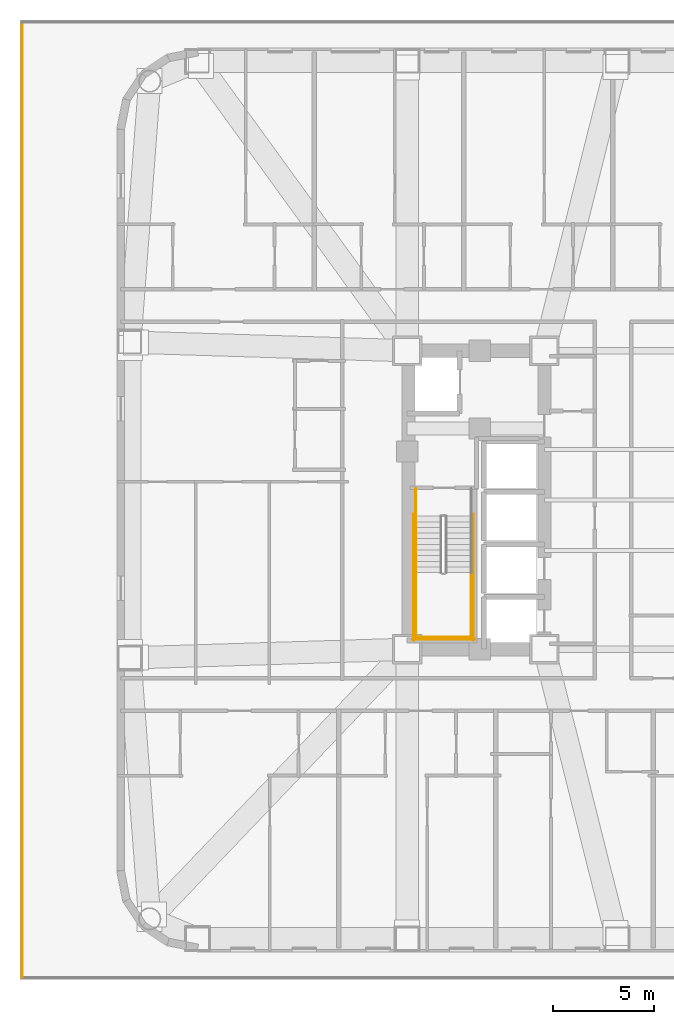
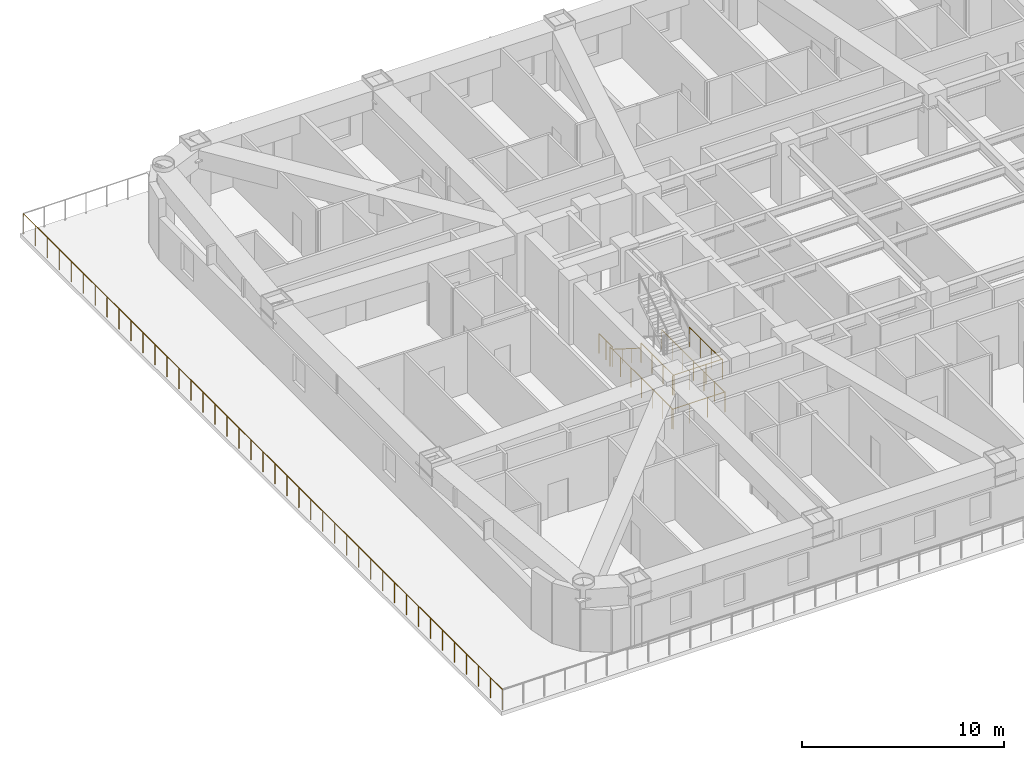
# One storey, part 11 of 15: 9 railings.
"""IFC4 building model written with IfcOpenShell, lengths in metres."""

from ifc_helpers import new_model, si_unit, direction, frame, origin, origin_2d, place, context, subcontext, project, spatial, circle, extrude, material, type_object, element, save


model = new_model("IFC4")

# Units and contexts
model_context = context("Model", 3, precision=1e-05, world=origin(), true_north=direction((0.0, 1.0)))
body_context = subcontext(model_context, "Body", "Model", "MODEL_VIEW")
ifc_project = project(units=[si_unit("LENGTHUNIT", "METRE"), si_unit("AREAUNIT", "SQUARE_METRE"), si_unit("VOLUMEUNIT", "CUBIC_METRE"), si_unit("PLANEANGLEUNIT", "RADIAN"), si_unit("MASSUNIT", "GRAM", prefix="KILO")], contexts=[model_context])

# Site, building, storey
site_placement = place(None, origin())
site = spatial("IfcSite", under=ifc_project, at=site_placement, CompositionType="ELEMENT")
building_placement = place(site_placement, origin())
building = spatial("IfcBuilding", under=site, at=building_placement, Name="Voryun Gate Residences", CompositionType="ELEMENT")
storey_placement = place(building_placement, frame((0.0, 0.0, 26.0)))
storey = spatial("IfcBuildingStorey", under=building, at=storey_placement, Name="L05", CompositionType="ELEMENT", Elevation=26.0)

# Railings
ifc_material_1 = material(Name="Painted steel", Category="steel")
railing_type_1 = type_object("IfcRailingType", Name="RAIL_STAIR_GUARD_1200", PredefinedType="GUARDRAIL", material=ifc_material_1)
for number, where, name in (
    (1, (-18.77490234375, -3.60009765625, 1.949951171875), "L05 ST-W1 stair guard 3"),
    (2, (-16.02490234375, -3.60009765625, 1.949951171875), "L05 ST-W1 stair guard 4"),
):
    element("IfcRailing", number, at=place(storey_placement, frame(where)), inside=storey, type_object=railing_type_1, Name=name, PredefinedType="GUARDRAIL", context=body_context, shape_type="SweptSolid", body=[
        extrude(circle(Radius=0.02392578125, at=origin_2d()), frame((0.0, 0.0, 1.17578125), z_axis=(0.0, -1.0, 0.0), x_axis=(1.0, 0.0, 0.0)), (0.0, 0.0, 1.0), 3.25),
        extrude(circle(Radius=0.02099609375, at=origin_2d()), origin(), (0.0, 0.0, 1.0), 1.15185546875),
        extrude(circle(Radius=0.02099609375, at=origin_2d()), frame((0.0, -1.083251953125, 0.0)), (0.0, 0.0, 1.0), 1.15185546875),
        extrude(circle(Radius=0.02099609375, at=origin_2d()), frame((0.0, -2.166748046875, 0.0)), (0.0, 0.0, 1.0), 1.15185546875),
        extrude(circle(Radius=0.02099609375, at=origin_2d()), frame((0.0, -3.25, 0.0)), (0.0, 0.0, 1.0), 1.15185546875),
    ])
railing_1_placement = place(storey_placement, frame((-18.824951171875, -6.800048828125, 1.949951171875)))
element("IfcRailing", 3, at=railing_1_placement, inside=storey, type_object=railing_type_1, Name="L05 ST-W1 stair guard 5", PredefinedType="GUARDRAIL", context=body_context, shape_type="SweptSolid", body=[
    extrude(circle(Radius=0.02392578125, at=origin_2d()), frame((0.0, 0.0, 1.17578125), z_axis=(1.0, 0.0, 0.0), x_axis=(0.0, 1.0, 0.0)), (0.0, 0.0, 1.0), 2.849853515625),
    extrude(circle(Radius=0.02099609375, at=origin_2d()), origin(), (0.0, 0.0, 1.0), 1.15185546875),
    extrude(circle(Radius=0.02099609375, at=origin_2d()), frame((0.949951171875, 0.0, 0.0)), (0.0, 0.0, 1.0), 1.15185546875),
    extrude(circle(Radius=0.02099609375, at=origin_2d()), frame((1.89990234375, 0.0, 0.0)), (0.0, 0.0, 1.0), 1.15185546875),
    extrude(circle(Radius=0.02099609375, at=origin_2d()), frame((2.849853515625, 0.0, 0.0)), (0.0, 0.0, 1.0), 1.15185546875),
])
railing_2_placement = place(storey_placement, frame((-18.77490234375, 0.550048828125, 0.0)))
element("IfcRailing", 4, at=railing_2_placement, inside=storey, type_object=railing_type_1, Name="L05 ST-W1 stair guard 8", PredefinedType="GUARDRAIL", context=body_context, shape_type="SweptSolid", body=[
    extrude(circle(Radius=0.02392578125, at=origin_2d()), frame((0.0, 0.0, 1.17578125), z_axis=(0.0, -1.0, 0.0), x_axis=(1.0, 0.0, 0.0)), (0.0, 0.0, 1.0), 1.35009765625),
    extrude(circle(Radius=0.02099609375, at=origin_2d()), origin(), (0.0, 0.0, 1.0), 1.15185546875),
    extrude(circle(Radius=0.02099609375, at=origin_2d()), frame((0.0, -0.675048828125, 0.0)), (0.0, 0.0, 1.0), 1.15185546875),
    extrude(circle(Radius=0.02099609375, at=origin_2d()), frame((0.0, -1.35009765625, 0.0)), (0.0, 0.0, 1.0), 1.15185546875),
])
for number, where, name in (
    (5, (-18.875, -0.699951171875, 0.0), "L05 ST-W1 stair guard 10"),
    (6, (-15.925048828125, -0.699951171875, 0.0), "L05 ST-W1 stair guard 11"),
):
    element("IfcRailing", number, at=place(storey_placement, frame(where)), inside=storey, type_object=railing_type_1, Name=name, PredefinedType="GUARDRAIL", context=body_context, shape_type="SweptSolid", body=[
        extrude(circle(Radius=0.02392578125, at=origin_2d()), frame((0.0, 0.0, 1.17578125), z_axis=(0.0, -1.0, 0.0), x_axis=(1.0, 0.0, 0.0)), (0.0, 0.0, 1.0), 6.25),
        extrude(circle(Radius=0.02099609375, at=origin_2d()), origin(), (0.0, 0.0, 1.0), 1.15185546875),
        extrude(circle(Radius=0.02099609375, at=origin_2d()), frame((0.0, -1.041748046875, 0.0)), (0.0, 0.0, 1.0), 1.15185546875),
        extrude(circle(Radius=0.02099609375, at=origin_2d()), frame((0.0, -2.083251953125, 0.0)), (0.0, 0.0, 1.0), 1.15185546875),
        extrude(circle(Radius=0.02099609375, at=origin_2d()), frame((0.0, -3.125, 0.0)), (0.0, 0.0, 1.0), 1.15185546875),
        extrude(circle(Radius=0.02099609375, at=origin_2d()), frame((0.0, -4.166748046875, 0.0)), (0.0, 0.0, 1.0), 1.15185546875),
        extrude(circle(Radius=0.02099609375, at=origin_2d()), frame((0.0, -5.208251953125, 0.0)), (0.0, 0.0, 1.0), 1.15185546875),
        extrude(circle(Radius=0.02099609375, at=origin_2d()), frame((0.0, -6.25, 0.0)), (0.0, 0.0, 1.0), 1.15185546875),
    ])
railing_3_placement = place(storey_placement, frame((-18.925048828125, -6.89990234375, 0.0)))
element("IfcRailing", 7, at=railing_3_placement, inside=storey, type_object=railing_type_1, Name="L05 ST-W1 stair guard 12", PredefinedType="GUARDRAIL", context=body_context, shape_type="SweptSolid", body=[
    extrude(circle(Radius=0.02392578125, at=origin_2d()), frame((0.0, 0.0, 1.17578125), z_axis=(1.0, 0.0, 0.0), x_axis=(0.0, 1.0, 0.0)), (0.0, 0.0, 1.0), 3.050048828125),
    extrude(circle(Radius=0.02099609375, at=origin_2d()), origin(), (0.0, 0.0, 1.0), 1.15185546875),
    extrude(circle(Radius=0.02099609375, at=origin_2d()), frame((1.0166015625, 0.0, 0.0)), (0.0, 0.0, 1.0), 1.15185546875),
    extrude(circle(Radius=0.02099609375, at=origin_2d()), frame((2.033447265625, 0.0, 0.0)), (0.0, 0.0, 1.0), 1.15185546875),
    extrude(circle(Radius=0.02099609375, at=origin_2d()), frame((3.050048828125, 0.0, 0.0)), (0.0, 0.0, 1.0), 1.15185546875),
])
ifc_material_2 = material(Name="Painted steel", Category="steel")
railing_type_2 = type_object("IfcRailingType", Name="RAIL_STAIR_HANDRAIL_900", PredefinedType="HANDRAIL", material=ifc_material_2)
railing_4_placement = place(storey_placement, frame((-18.77490234375, -0.800048828125, 0.17724609375)))
element("IfcRailing", 8, at=railing_4_placement, inside=storey, type_object=railing_type_2, Name="L05 ST-W1 stair handrail 1", PredefinedType="HANDRAIL", context=body_context, shape_type="SweptSolid", body=[
    extrude(circle(Radius=0.02392578125, at=origin_2d()), frame((0.0, 0.0, 0.8759765625), z_axis=(0.0, -0.844908973607, 0.534910110503), x_axis=(1.0, 0.0, 0.0)), (0.0, 0.0, 1.0), 3.31396484375),
    extrude(circle(Radius=0.02099609375, at=origin_2d()), origin(), (0.0, 0.0, 1.0), 0.851806640625),
    extrude(circle(Radius=0.02099609375, at=origin_2d()), frame((0.0, -0.933349609375, 0.5908203125)), (0.0, 0.0, 1.0), 0.851806640625),
    extrude(circle(Radius=0.02099609375, at=origin_2d()), frame((0.0, -1.86669921875, 1.181884765625)), (0.0, 0.0, 1.0), 0.851806640625),
    extrude(circle(Radius=0.02099609375, at=origin_2d()), frame((0.0, -2.800048828125, 1.772705078125)), (0.0, 0.0, 1.0), 0.851806640625),
])
ifc_material_3 = material(Name="Anodised aluminium", Category="aluminium")
railing_type_3 = type_object("IfcRailingType", Name="RAIL_TERRACE_GUARD_1250", PredefinedType="GUARDRAIL", material=ifc_material_3)
railing_5_placement = place(storey_placement, frame((-38.280029296875, -23.679931640625, 0.0)))
element("IfcRailing", 9, at=railing_5_placement, inside=storey, type_object=railing_type_3, Name="Terrace guard RL-L05-P1L2-05", PredefinedType="GUARDRAIL", context=body_context, shape_type="SweptSolid", body=[
    extrude(circle(Radius=0.02392578125, at=origin_2d()), frame((0.0, 0.0, 1.22607421875), z_axis=(0.0, 1.0, 0.0), x_axis=(-1.0, 0.0, 0.0)), (0.0, 0.0, 1.0), 47.35986328125),
    extrude(circle(Radius=0.02099609375, at=origin_2d()), origin(), (0.0, 0.0, 1.0), 1.201904296875),
    extrude(circle(Radius=0.02099609375, at=origin_2d()), frame((0.0, 1.18408203125, 0.0)), (0.0, 0.0, 1.0), 1.201904296875),
    extrude(circle(Radius=0.02099609375, at=origin_2d()), frame((0.0, 2.367919921875, 0.0)), (0.0, 0.0, 1.0), 1.201904296875),
    extrude(circle(Radius=0.02099609375, at=origin_2d()), frame((0.0, 3.552001953125, 0.0)), (0.0, 0.0, 1.0), 1.201904296875),
    extrude(circle(Radius=0.02099609375, at=origin_2d()), frame((0.0, 4.736083984375, 0.0)), (0.0, 0.0, 1.0), 1.201904296875),
    extrude(circle(Radius=0.02099609375, at=origin_2d()), frame((0.0, 5.919921875, 0.0)), (0.0, 0.0, 1.0), 1.201904296875),
    extrude(circle(Radius=0.02099609375, at=origin_2d()), frame((0.0, 7.10400390625, 0.0)), (0.0, 0.0, 1.0), 1.201904296875),
    extrude(circle(Radius=0.02099609375, at=origin_2d()), frame((0.0, 8.2880859375, 0.0)), (0.0, 0.0, 1.0), 1.201904296875),
    extrude(circle(Radius=0.02099609375, at=origin_2d()), frame((0.0, 9.471923828125, 0.0)), (0.0, 0.0, 1.0), 1.201904296875),
    extrude(circle(Radius=0.02099609375, at=origin_2d()), frame((0.0, 10.656005859375, 0.0)), (0.0, 0.0, 1.0), 1.201904296875),
    extrude(circle(Radius=0.02099609375, at=origin_2d()), frame((0.0, 11.83984375, 0.0)), (0.0, 0.0, 1.0), 1.201904296875),
    extrude(circle(Radius=0.02099609375, at=origin_2d()), frame((0.0, 13.02392578125, 0.0)), (0.0, 0.0, 1.0), 1.201904296875),
    extrude(circle(Radius=0.02099609375, at=origin_2d()), frame((0.0, 14.2080078125, 0.0)), (0.0, 0.0, 1.0), 1.201904296875),
    extrude(circle(Radius=0.02099609375, at=origin_2d()), frame((0.0, 15.391845703125, 0.0)), (0.0, 0.0, 1.0), 1.201904296875),
    extrude(circle(Radius=0.02099609375, at=origin_2d()), frame((0.0, 16.575927734375, 0.0)), (0.0, 0.0, 1.0), 1.201904296875),
    extrude(circle(Radius=0.02099609375, at=origin_2d()), frame((0.0, 17.760009765625, 0.0)), (0.0, 0.0, 1.0), 1.201904296875),
    extrude(circle(Radius=0.02099609375, at=origin_2d()), frame((0.0, 18.94384765625, 0.0)), (0.0, 0.0, 1.0), 1.201904296875),
    extrude(circle(Radius=0.02099609375, at=origin_2d()), frame((0.0, 20.1279296875, 0.0)), (0.0, 0.0, 1.0), 1.201904296875),
    extrude(circle(Radius=0.02099609375, at=origin_2d()), frame((0.0, 21.31201171875, 0.0)), (0.0, 0.0, 1.0), 1.201904296875),
    extrude(circle(Radius=0.02099609375, at=origin_2d()), frame((0.0, 22.495849609375, 0.0)), (0.0, 0.0, 1.0), 1.201904296875),
    extrude(circle(Radius=0.02099609375, at=origin_2d()), frame((0.0, 23.679931640625, 0.0)), (0.0, 0.0, 1.0), 1.201904296875),
    extrude(circle(Radius=0.02099609375, at=origin_2d()), frame((0.0, 24.864013671875, 0.0)), (0.0, 0.0, 1.0), 1.201904296875),
    extrude(circle(Radius=0.02099609375, at=origin_2d()), frame((0.0, 26.0478515625, 0.0)), (0.0, 0.0, 1.0), 1.201904296875),
    extrude(circle(Radius=0.02099609375, at=origin_2d()), frame((0.0, 27.23193359375, 0.0)), (0.0, 0.0, 1.0), 1.201904296875),
    extrude(circle(Radius=0.02099609375, at=origin_2d()), frame((0.0, 28.416015625, 0.0)), (0.0, 0.0, 1.0), 1.201904296875),
    extrude(circle(Radius=0.02099609375, at=origin_2d()), frame((0.0, 29.599853515625, 0.0)), (0.0, 0.0, 1.0), 1.201904296875),
    extrude(circle(Radius=0.02099609375, at=origin_2d()), frame((0.0, 30.783935546875, 0.0)), (0.0, 0.0, 1.0), 1.201904296875),
    extrude(circle(Radius=0.02099609375, at=origin_2d()), frame((0.0, 31.968017578125, 0.0)), (0.0, 0.0, 1.0), 1.201904296875),
    extrude(circle(Radius=0.02099609375, at=origin_2d()), frame((0.0, 33.15185546875, 0.0)), (0.0, 0.0, 1.0), 1.201904296875),
    extrude(circle(Radius=0.02099609375, at=origin_2d()), frame((0.0, 34.3359375, 0.0)), (0.0, 0.0, 1.0), 1.201904296875),
    extrude(circle(Radius=0.02099609375, at=origin_2d()), frame((0.0, 35.52001953125, 0.0)), (0.0, 0.0, 1.0), 1.201904296875),
    extrude(circle(Radius=0.02099609375, at=origin_2d()), frame((0.0, 36.703857421875, 0.0)), (0.0, 0.0, 1.0), 1.201904296875),
    extrude(circle(Radius=0.02099609375, at=origin_2d()), frame((0.0, 37.887939453125, 0.0)), (0.0, 0.0, 1.0), 1.201904296875),
    extrude(circle(Radius=0.02099609375, at=origin_2d()), frame((0.0, 39.07177734375, 0.0)), (0.0, 0.0, 1.0), 1.201904296875),
    extrude(circle(Radius=0.02099609375, at=origin_2d()), frame((0.0, 40.255859375, 0.0)), (0.0, 0.0, 1.0), 1.201904296875),
    extrude(circle(Radius=0.02099609375, at=origin_2d()), frame((0.0, 41.43994140625, 0.0)), (0.0, 0.0, 1.0), 1.201904296875),
    extrude(circle(Radius=0.02099609375, at=origin_2d()), frame((0.0, 42.623779296875, 0.0)), (0.0, 0.0, 1.0), 1.201904296875),
    extrude(circle(Radius=0.02099609375, at=origin_2d()), frame((0.0, 43.807861328125, 0.0)), (0.0, 0.0, 1.0), 1.201904296875),
    extrude(circle(Radius=0.02099609375, at=origin_2d()), frame((0.0, 44.991943359375, 0.0)), (0.0, 0.0, 1.0), 1.201904296875),
    extrude(circle(Radius=0.02099609375, at=origin_2d()), frame((0.0, 46.17578125, 0.0)), (0.0, 0.0, 1.0), 1.201904296875),
    extrude(circle(Radius=0.02099609375, at=origin_2d()), frame((0.0, 47.35986328125, 0.0)), (0.0, 0.0, 1.0), 1.201904296875),
])

save(model, "model.ifc")
